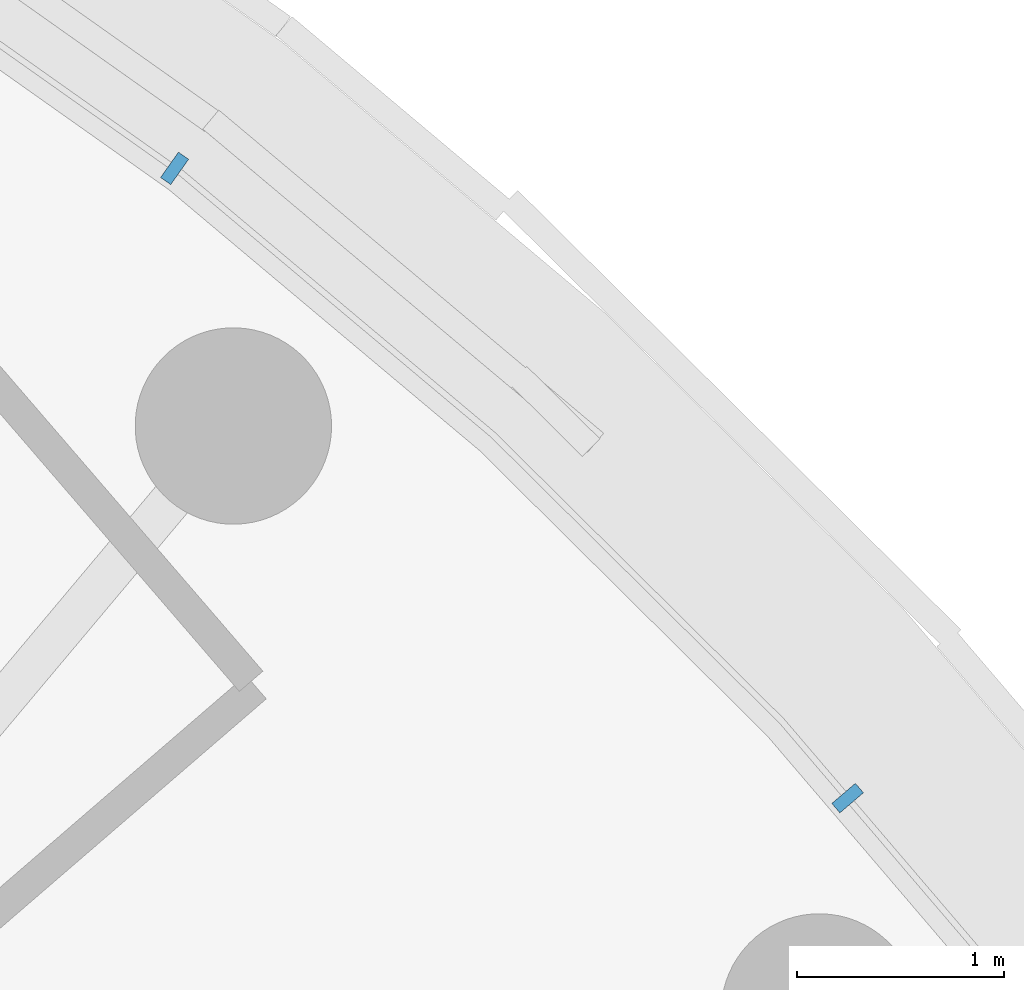
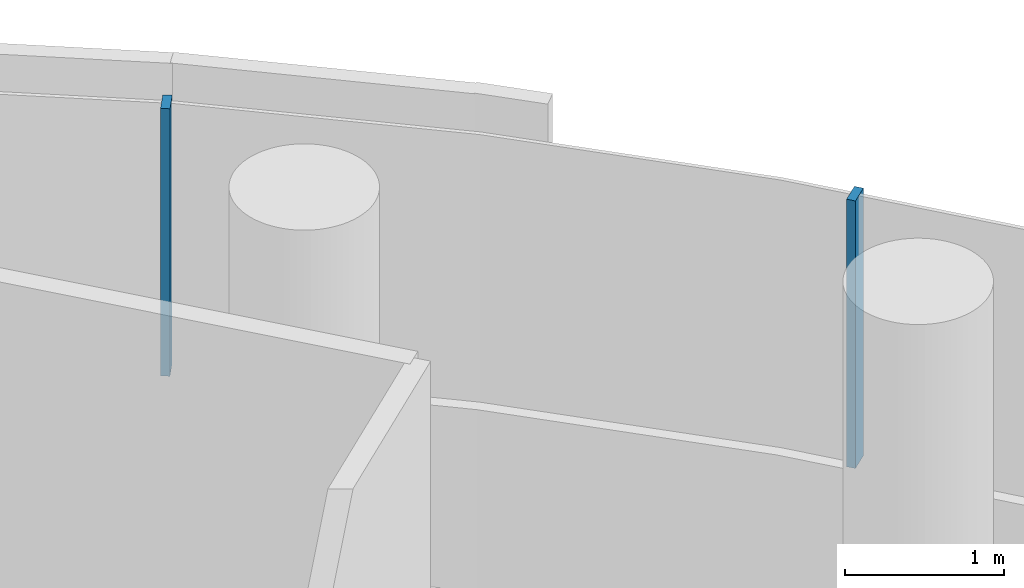
# One storey, part 12 of 34: 2 members, 1 element without a shape of its own.
"""IFC4 building model written with IfcOpenShell, lengths in metres."""

from ifc_helpers import new_model, si_unit, direction, frame, origin, origin_2d, place, context, subcontext, project, spatial, rectangle, extrude, material, layer, layer_set, material_profile, profile_set, type_object, element, aggregate, save


model = new_model("IFC4")

# Units and contexts
model_context = context("Model", 3, precision=1e-05, world=origin(), true_north=direction((0.0, 1.0)))
body_context = subcontext(model_context, "Body", "Model", "MODEL_VIEW")
ifc_project = project(units=[si_unit("LENGTHUNIT", "METRE"), si_unit("AREAUNIT", "SQUARE_METRE"), si_unit("VOLUMEUNIT", "CUBIC_METRE"), si_unit("PLANEANGLEUNIT", "RADIAN"), si_unit("MASSUNIT", "GRAM", prefix="KILO")], contexts=[model_context])

# Site, building, storey
site_placement = place(None, origin())
site = spatial("IfcSite", under=ifc_project, at=site_placement, CompositionType="ELEMENT")
building_placement = place(site_placement, origin())
building = spatial("IfcBuilding", under=site, at=building_placement, Name="Tamarind Cross Interchange Tower", CompositionType="ELEMENT")
storey_placement = place(building_placement, frame((0.0, 0.0, 182.5)))
storey = spatial("IfcBuildingStorey", under=building, at=storey_placement, Name="L45", CompositionType="ELEMENT", Elevation=182.5)

# Curtain wall, members
ifc_material = material(Name="Aluminium 6063-T6", Category="aluminium")
ifc_layer = layer(ifc_material, 0.14990234375)
ifc_layer_set = layer_set([ifc_layer], Name="Aluminium 6063-T6")
curtain_wall_type = type_object("IfcCurtainWallType", Name="Winter garden and crown curtain wall", PredefinedType="NOTDEFINED", material=ifc_layer_set)
curtain_wall_placement = place(storey_placement, origin())
curtain_wall = element("IfcCurtainWall", 1, at=curtain_wall_placement, inside=storey, type_object=curtain_wall_type, Name="CWS-L45-10", PredefinedType="NOTDEFINED")
ifc_material_profile = material_profile(ifc_material, rectangle(XDim=0.06005859375, YDim=0.14990234375, at=origin_2d()), Name="Mullion CW6")
ifc_profile_set = profile_set([ifc_material_profile], Name="Aluminium 6063-T6")
member_type = type_object("IfcMemberType", Name="Mullion CW6", PredefinedType="MULLION", material=ifc_profile_set)
member_1_placement = place(storey_placement, frame((17.756103515625, 15.81884765625, 1.39990234375), z_axis=(0.0, 0.0, 1.0), x_axis=(-0.64957723968, 0.760295606781, 0.0)))
member_1 = element("IfcMember", 2, at=member_1_placement, type_object=member_type, Name="CWM-L45-10-10", PredefinedType="MULLION", context=body_context, shape_type="SweptSolid", body=[
    extrude(rectangle(XDim=0.06005859375, YDim=0.14990234375, at=origin_2d()), origin(), (0.0, 0.0, 1.0), 2.06005859375),
])
member_2_placement = place(storey_placement, frame((14.499755859375, 18.86572265625, 1.39990234375), z_axis=(0.0, 0.0, 1.0), x_axis=(-0.816341886298, 0.577568978284, 0.0)))
member_2 = element("IfcMember", 3, at=member_2_placement, type_object=member_type, Name="CWM-L45-10-11", PredefinedType="MULLION", context=body_context, shape_type="SweptSolid", body=[
    extrude(rectangle(XDim=0.06005859375, YDim=0.14990234375, at=origin_2d()), origin(), (0.0, 0.0, 1.0), 2.06005859375),
])
aggregate(curtain_wall, [member_1, member_2])

save(model, "model.ifc")
